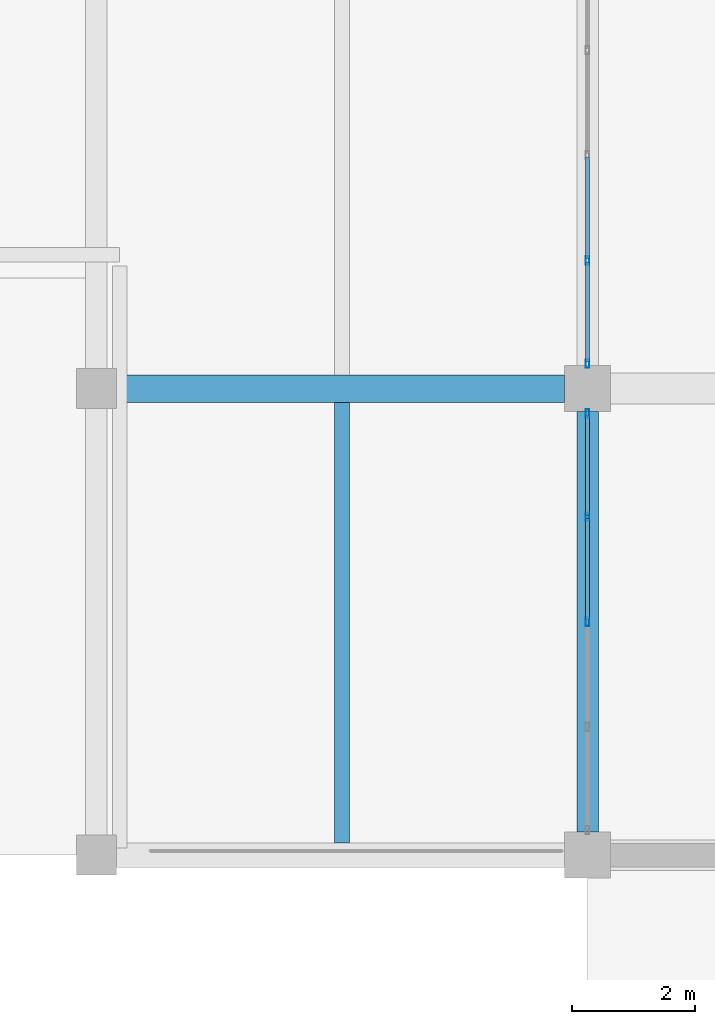
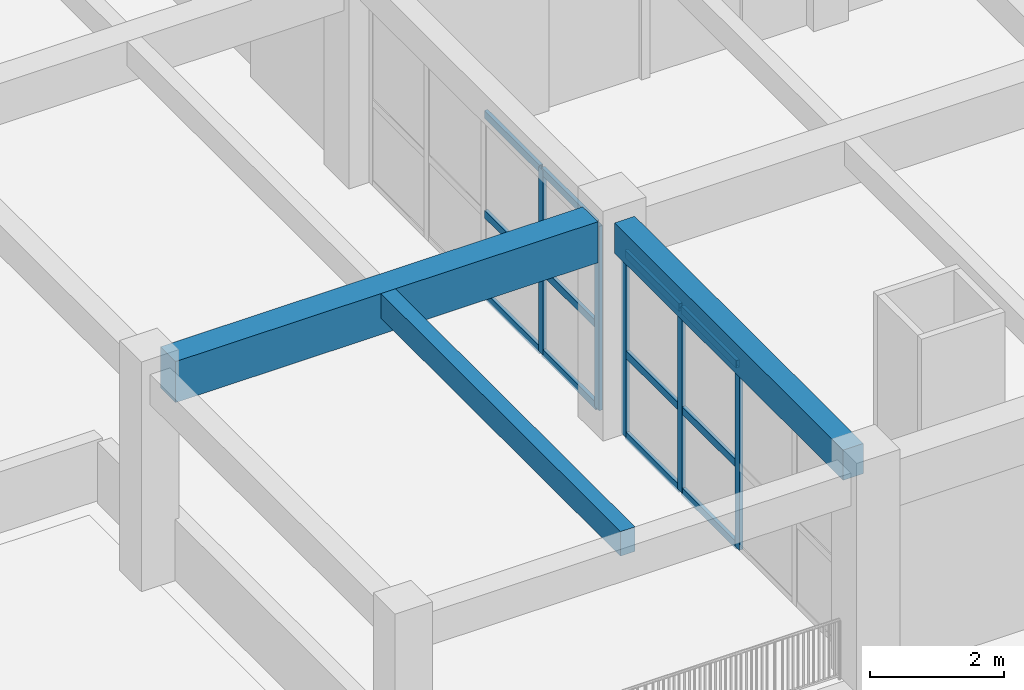
# One storey, part 5 of 63: 17 members, 3 beams, 2 elements without a shape of their own.
"""IFC4 building model written with IfcOpenShell, lengths in metres."""

from ifc_helpers import new_model, si_unit, direction, frame, origin, origin_2d, place, context, subcontext, project, spatial, rectangle, hollow_rectangle, extrude, material, material_profile, profile_set, type_object, element, aggregate, save


model = new_model("IFC4")

# Units and contexts
model_context = context("Model", 3, precision=1e-05, world=origin(), true_north=direction((0.0, 1.0)))
body_context = subcontext(model_context, "Body", "Model", "MODEL_VIEW")
ifc_project = project(units=[si_unit("LENGTHUNIT", "METRE"), si_unit("AREAUNIT", "SQUARE_METRE"), si_unit("VOLUMEUNIT", "CUBIC_METRE"), si_unit("PLANEANGLEUNIT", "RADIAN"), si_unit("MASSUNIT", "GRAM", prefix="KILO")], contexts=[model_context])

# Site, building, storey
site_placement = place(None, origin())
site = spatial("IfcSite", under=ifc_project, at=site_placement, CompositionType="ELEMENT")
building_placement = place(site_placement, origin())
building = spatial("IfcBuilding", under=site, at=building_placement, Name="Zantavel Square City Hall", CompositionType="ELEMENT")
storey_placement = place(building_placement, frame((0.0, 0.0, 14.699951171875)))
storey = spatial("IfcBuildingStorey", under=building, at=storey_placement, Name="L04", CompositionType="ELEMENT", Elevation=14.699951171875)

# Curtain wall, members
ifc_material_1 = material(Name="Anodised aluminium 6063-T6", Category="aluminium")
curtain_wall_type = type_object("IfcCurtainWallType", Name="Curtain Wall TRV1 6850x3370", PredefinedType="USERDEFINED", material=ifc_material_1)
curtain_wall_1_placement = place(storey_placement, origin())
curtain_wall_1 = element("IfcCurtainWall", 1, at=curtain_wall_1_placement, inside=storey, type_object=curtain_wall_type, Name="L04 Glazed Curtain Wall CW-L04-118", ObjectType="GLAZED CURTAIN WALL", PredefinedType="USERDEFINED")
ifc_material_profile_1 = material_profile(ifc_material_1, hollow_rectangle(XDim=0.06005859375, YDim=0.135009765625, WallThickness=0.00390625, at=origin_2d()), Name="ALU 60x135x4")
ifc_profile_set_1 = profile_set([ifc_material_profile_1], Name="Anodised aluminium 6063-T6")
member_type_1 = type_object("IfcMemberType", Name="CW Mullion ALU 60x135x4", PredefinedType="MULLION", material=ifc_profile_set_1)
member_1_placement = place(storey_placement, frame((64.0, 34.199951171875, 0.0), z_axis=(0.0, 0.0, 1.0), x_axis=(-1.0, 0.0, 0.0)))
member_1 = element("IfcMember", 2, at=member_1_placement, type_object=member_type_1, Name="CW-118 mullion 3", PredefinedType="MULLION", context=body_context, shape_type="SweptSolid", body=[
    extrude(hollow_rectangle(XDim=0.06005859375, YDim=0.135009765625, WallThickness=0.00390625, at=origin_2d()), origin(), (0.0, 0.0, 1.0), 3.3701171875),
])
member_2_placement = place(storey_placement, frame((64.0, 35.91259765625, 0.0), z_axis=(0.0, 0.0, 1.0), x_axis=(-1.0, 0.0, 0.0)))
member_2 = element("IfcMember", 3, at=member_2_placement, type_object=member_type_1, Name="CW-118 mullion 4", PredefinedType="MULLION", context=body_context, shape_type="SweptSolid", body=[
    extrude(hollow_rectangle(XDim=0.06005859375, YDim=0.135009765625, WallThickness=0.00390625, at=origin_2d()), origin(), (0.0, 0.0, 1.0), 3.3701171875),
])
member_3_placement = place(storey_placement, frame((64.0, 37.594970703125, 0.0), z_axis=(0.0, 0.0, 1.0), x_axis=(-1.0, 0.0, 0.0)))
member_3 = element("IfcMember", 4, at=member_3_placement, type_object=member_type_1, Name="CW-118 mullion 5", PredefinedType="MULLION", context=body_context, shape_type="SweptSolid", body=[
    extrude(hollow_rectangle(XDim=0.06005859375, YDim=0.135009765625, WallThickness=0.00390625, at=origin_2d()), origin(), (0.0, 0.0, 1.0), 3.3701171875),
])

curtain_wall_2_placement = place(storey_placement, origin())
curtain_wall_2 = element("IfcCurtainWall", 5, at=curtain_wall_2_placement, inside=storey, type_object=curtain_wall_type, Name="L04 Glazed Curtain Wall CW-L04-119", ObjectType="GLAZED CURTAIN WALL", PredefinedType="USERDEFINED")
member_4_placement = place(storey_placement, frame((64.0, 38.405029296875, 0.0), z_axis=(0.0, 0.0, 1.0), x_axis=(-1.0, 0.0, 0.0)))
member_4 = element("IfcMember", 6, at=member_4_placement, type_object=member_type_1, Name="CW-119 mullion 1", PredefinedType="MULLION", context=body_context, shape_type="SweptSolid", body=[
    extrude(hollow_rectangle(XDim=0.06005859375, YDim=0.135009765625, WallThickness=0.00390625, at=origin_2d()), origin(), (0.0, 0.0, 1.0), 3.3701171875),
])
member_5_placement = place(storey_placement, frame((64.0, 40.08740234375, 0.0), z_axis=(0.0, 0.0, 1.0), x_axis=(-1.0, 0.0, 0.0)))
member_5 = element("IfcMember", 7, at=member_5_placement, type_object=member_type_1, Name="CW-119 mullion 2", PredefinedType="MULLION", context=body_context, shape_type="SweptSolid", body=[
    extrude(hollow_rectangle(XDim=0.06005859375, YDim=0.135009765625, WallThickness=0.00390625, at=origin_2d()), origin(), (0.0, 0.0, 1.0), 3.3701171875),
])

# Member
ifc_material_profile_2 = material_profile(ifc_material_1, hollow_rectangle(XDim=0.06005859375, YDim=0.139892578125, WallThickness=0.00390625, at=origin_2d()), Name="ALU 60x140x4")
ifc_profile_set_2 = profile_set([ifc_material_profile_2], Name="Anodised aluminium 6063-T6")
member_type_2 = type_object("IfcMemberType", Name="CW Transom ALU 60x140x4", PredefinedType="USERDEFINED", material=ifc_profile_set_2)
member_6_placement = place(storey_placement, frame((64.0, 34.22998046875, 0.030029296875), z_axis=(0.0, 1.0, 0.0), x_axis=(-1.0, 0.0, 0.0)))
member_6 = element("IfcMember", 8, at=member_6_placement, type_object=member_type_2, Name="CW-118 transom 3.1", ObjectType="TRANSOM", PredefinedType="USERDEFINED", context=body_context, shape_type="SweptSolid", body=[
    extrude(hollow_rectangle(XDim=0.06005859375, YDim=0.139892578125, WallThickness=0.00390625, at=origin_2d()), origin(), (0.0, 0.0, 1.0), 1.652587890625),
])

member_7_placement = place(storey_placement, frame((64.0, 34.22998046875, 1.51708984375), z_axis=(0.0, 1.0, 0.0), x_axis=(-1.0, 0.0, 0.0)))
member_7 = element("IfcMember", 9, at=member_7_placement, type_object=member_type_2, Name="CW-118 transom 3.2", ObjectType="TRANSOM", PredefinedType="USERDEFINED", context=body_context, shape_type="SweptSolid", body=[
    extrude(hollow_rectangle(XDim=0.06005859375, YDim=0.139892578125, WallThickness=0.00390625, at=origin_2d()), origin(), (0.0, 0.0, 1.0), 1.652587890625),
])

member_8_placement = place(storey_placement, frame((64.0, 34.22998046875, 3.340087890625), z_axis=(0.0, 1.0, 0.0), x_axis=(-1.0, 0.0, 0.0)))
member_8 = element("IfcMember", 10, at=member_8_placement, type_object=member_type_2, Name="CW-118 transom 3.3", ObjectType="TRANSOM", PredefinedType="USERDEFINED", context=body_context, shape_type="SweptSolid", body=[
    extrude(hollow_rectangle(XDim=0.06005859375, YDim=0.139892578125, WallThickness=0.00390625, at=origin_2d()), origin(), (0.0, 0.0, 1.0), 1.652587890625),
])

member_9_placement = place(storey_placement, frame((64.0, 35.9423828125, 0.030029296875), z_axis=(0.0, 1.0, 0.0), x_axis=(-1.0, 0.0, 0.0)))
member_9 = element("IfcMember", 11, at=member_9_placement, type_object=member_type_2, Name="CW-118 transom 4.1", ObjectType="TRANSOM", PredefinedType="USERDEFINED", context=body_context, shape_type="SweptSolid", body=[
    extrude(hollow_rectangle(XDim=0.06005859375, YDim=0.139892578125, WallThickness=0.00390625, at=origin_2d()), origin(), (0.0, 0.0, 1.0), 1.62255859375),
])

member_10_placement = place(storey_placement, frame((64.0, 35.9423828125, 1.51708984375), z_axis=(0.0, 1.0, 0.0), x_axis=(-1.0, 0.0, 0.0)))
member_10 = element("IfcMember", 12, at=member_10_placement, type_object=member_type_2, Name="CW-118 transom 4.2", ObjectType="TRANSOM", PredefinedType="USERDEFINED", context=body_context, shape_type="SweptSolid", body=[
    extrude(hollow_rectangle(XDim=0.06005859375, YDim=0.139892578125, WallThickness=0.00390625, at=origin_2d()), origin(), (0.0, 0.0, 1.0), 1.62255859375),
])

member_11_placement = place(storey_placement, frame((64.0, 35.9423828125, 3.340087890625), z_axis=(0.0, 1.0, 0.0), x_axis=(-1.0, 0.0, 0.0)))
member_11 = element("IfcMember", 13, at=member_11_placement, type_object=member_type_2, Name="CW-118 transom 4.3", ObjectType="TRANSOM", PredefinedType="USERDEFINED", context=body_context, shape_type="SweptSolid", body=[
    extrude(hollow_rectangle(XDim=0.06005859375, YDim=0.139892578125, WallThickness=0.00390625, at=origin_2d()), origin(), (0.0, 0.0, 1.0), 1.62255859375),
])

aggregate(curtain_wall_1, [member_1, member_2, member_3, member_6, member_7, member_8, member_9, member_10, member_11])

member_12_placement = place(storey_placement, frame((64.0, 38.43505859375, 0.030029296875), z_axis=(0.0, 1.0, 0.0), x_axis=(-1.0, 0.0, 0.0)))
member_12 = element("IfcMember", 14, at=member_12_placement, type_object=member_type_2, Name="CW-119 transom 1.1", ObjectType="TRANSOM", PredefinedType="USERDEFINED", context=body_context, shape_type="SweptSolid", body=[
    extrude(hollow_rectangle(XDim=0.06005859375, YDim=0.139892578125, WallThickness=0.00390625, at=origin_2d()), origin(), (0.0, 0.0, 1.0), 1.62255859375),
])

member_13_placement = place(storey_placement, frame((64.0, 38.43505859375, 1.51708984375), z_axis=(0.0, 1.0, 0.0), x_axis=(-1.0, 0.0, 0.0)))
member_13 = element("IfcMember", 15, at=member_13_placement, type_object=member_type_2, Name="CW-119 transom 1.2", ObjectType="TRANSOM", PredefinedType="USERDEFINED", context=body_context, shape_type="SweptSolid", body=[
    extrude(hollow_rectangle(XDim=0.06005859375, YDim=0.139892578125, WallThickness=0.00390625, at=origin_2d()), origin(), (0.0, 0.0, 1.0), 1.62255859375),
])

member_14_placement = place(storey_placement, frame((64.0, 38.43505859375, 3.340087890625), z_axis=(0.0, 1.0, 0.0), x_axis=(-1.0, 0.0, 0.0)))
member_14 = element("IfcMember", 16, at=member_14_placement, type_object=member_type_2, Name="CW-119 transom 1.3", ObjectType="TRANSOM", PredefinedType="USERDEFINED", context=body_context, shape_type="SweptSolid", body=[
    extrude(hollow_rectangle(XDim=0.06005859375, YDim=0.139892578125, WallThickness=0.00390625, at=origin_2d()), origin(), (0.0, 0.0, 1.0), 1.62255859375),
])

member_15_placement = place(storey_placement, frame((64.0, 40.117431640625, 0.030029296875), z_axis=(0.0, 1.0, 0.0), x_axis=(-1.0, 0.0, 0.0)))
member_15 = element("IfcMember", 17, at=member_15_placement, type_object=member_type_2, Name="CW-119 transom 2.1", ObjectType="TRANSOM", PredefinedType="USERDEFINED", context=body_context, shape_type="SweptSolid", body=[
    extrude(hollow_rectangle(XDim=0.06005859375, YDim=0.139892578125, WallThickness=0.00390625, at=origin_2d()), origin(), (0.0, 0.0, 1.0), 1.652587890625),
])

member_16_placement = place(storey_placement, frame((64.0, 40.117431640625, 1.51708984375), z_axis=(0.0, 1.0, 0.0), x_axis=(-1.0, 0.0, 0.0)))
member_16 = element("IfcMember", 18, at=member_16_placement, type_object=member_type_2, Name="CW-119 transom 2.2", ObjectType="TRANSOM", PredefinedType="USERDEFINED", context=body_context, shape_type="SweptSolid", body=[
    extrude(hollow_rectangle(XDim=0.06005859375, YDim=0.139892578125, WallThickness=0.00390625, at=origin_2d()), origin(), (0.0, 0.0, 1.0), 1.652587890625),
])

member_17_placement = place(storey_placement, frame((64.0, 40.117431640625, 3.340087890625), z_axis=(0.0, 1.0, 0.0), x_axis=(-1.0, 0.0, 0.0)))
member_17 = element("IfcMember", 19, at=member_17_placement, type_object=member_type_2, Name="CW-119 transom 2.3", ObjectType="TRANSOM", PredefinedType="USERDEFINED", context=body_context, shape_type="SweptSolid", body=[
    extrude(hollow_rectangle(XDim=0.06005859375, YDim=0.139892578125, WallThickness=0.00390625, at=origin_2d()), origin(), (0.0, 0.0, 1.0), 1.652587890625),
])

aggregate(curtain_wall_2, [member_4, member_5, member_12, member_13, member_14, member_15, member_16, member_17])

# Beams
ifc_material_2 = material(Name="Concrete C35/45", Category="concrete")
ifc_material_profile_3 = material_profile(ifc_material_2, rectangle(XDim=0.25, YDim=0.449951171875, at=origin_2d()), Name="RC 250x450")
ifc_profile_set_3 = profile_set([ifc_material_profile_3], Name="Concrete C35/45")
beam_type_1 = type_object("IfcBeamType", Name="Light Floor Joist RC 250x450 C35/45", PredefinedType="JOIST", material=ifc_profile_set_3)
beam_1_placement = place(storey_placement, frame((60.0, 30.60009765625, 3.695068359375), z_axis=(0.0, 1.0, 0.0), x_axis=(-1.0, 0.0, 0.0)))
element("IfcBeam", 20, at=beam_1_placement, inside=storey, type_object=beam_type_1, Name="L04 Floor Joist JST-L04-0600-0304", PredefinedType="JOIST", context=body_context, shape_type="SweptSolid", body=[
    extrude(rectangle(XDim=0.25, YDim=0.449951171875, at=origin_2d()), origin(), (0.0, 0.0, 1.0), 7.1748046875),
])
ifc_material_profile_4 = material_profile(ifc_material_2, rectangle(XDim=0.449951171875, YDim=0.75, at=origin_2d()), Name="RC 450x750")
ifc_profile_set_4 = profile_set([ifc_material_profile_4], Name="Concrete C35/45")
beam_type_2 = type_object("IfcBeamType", Name="Primary Girder RC 450x750 C35/45", PredefinedType="BEAM", material=ifc_profile_set_4)
beam_2_placement = place(storey_placement, frame((56.324951171875, 38.0, 3.545166015625), z_axis=(1.0, 0.0, 0.0), x_axis=(0.0, 1.0, 0.0)))
element("IfcBeam", 21, at=beam_2_placement, inside=storey, type_object=beam_type_2, Name="L04 Girder BMX-L04-0560-0380", PredefinedType="BEAM", context=body_context, shape_type="SweptSolid", body=[
    extrude(rectangle(XDim=0.449951171875, YDim=0.75, at=origin_2d()), origin(), (0.0, 0.0, 1.0), 7.300048828125),
])
ifc_material_profile_5 = material_profile(ifc_material_2, rectangle(XDim=0.35009765625, YDim=0.550048828125, at=origin_2d()), Name="RC 350x550")
ifc_profile_set_5 = profile_set([ifc_material_profile_5], Name="Concrete C35/45")
beam_type_3 = type_object("IfcBeamType", Name="Secondary Beam RC 350x550 C35/45", PredefinedType="BEAM", material=ifc_profile_set_5)
beam_3_placement = place(storey_placement, frame((64.0, 30.77490234375, 3.64501953125), z_axis=(0.0, 1.0, 0.0), x_axis=(-1.0, 0.0, 0.0)))
element("IfcBeam", 22, at=beam_3_placement, inside=storey, type_object=beam_type_3, Name="L04 Beam BMY-L04-0640-0304", PredefinedType="BEAM", context=body_context, shape_type="SweptSolid", body=[
    extrude(rectangle(XDim=0.35009765625, YDim=0.550048828125, at=origin_2d()), origin(), (0.0, 0.0, 1.0), 6.85009765625),
])

save(model, "model.ifc")
